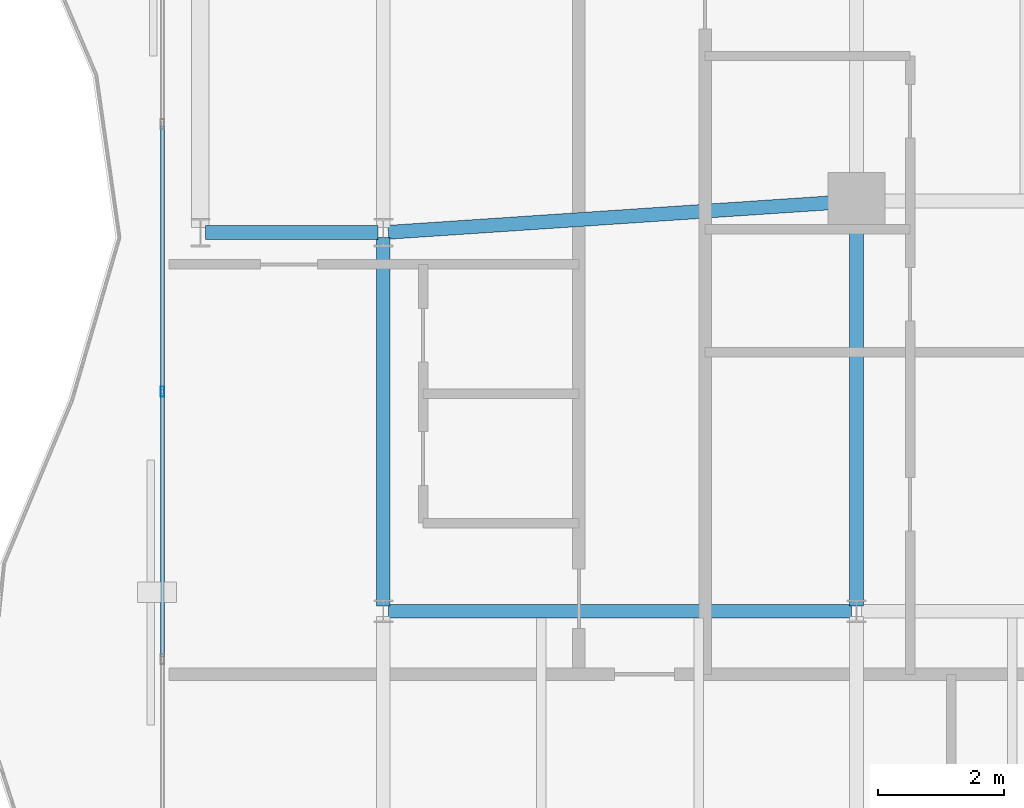
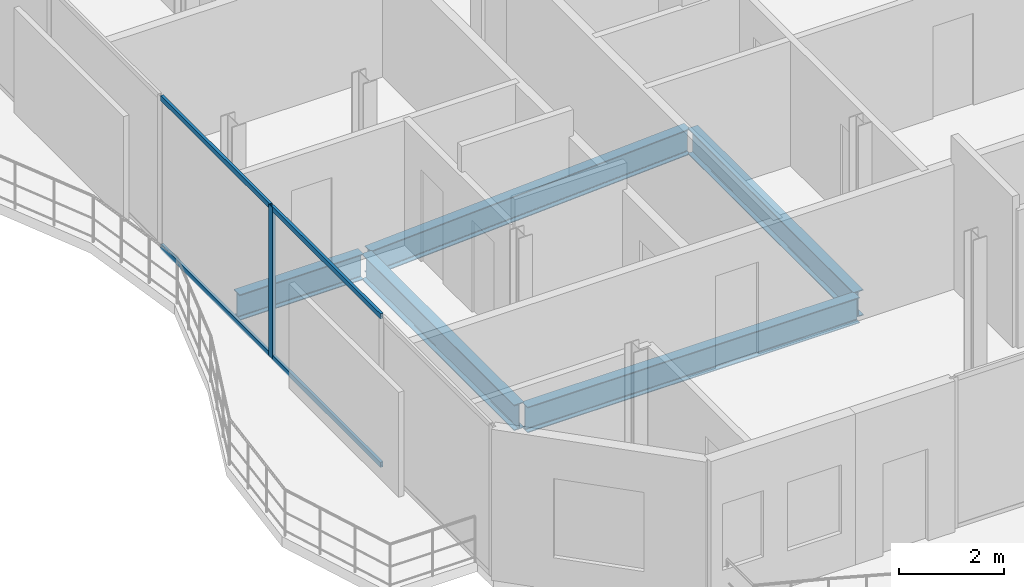
# One storey, part 6 of 22: 5 beams, 5 members, 1 element without a shape of its own.
"""IFC4 building model written with IfcOpenShell, lengths in metres."""

from ifc_helpers import new_model, si_unit, direction, frame, origin, origin_2d, place, context, subcontext, project, spatial, hollow_rectangle, i_section, extrude, material, layer, layer_set, material_profile, profile_set, type_object, element, aggregate, save


model = new_model("IFC4")

# Units and contexts
model_context = context("Model", 3, precision=1e-05, world=origin(), true_north=direction((0.0, 1.0)))
body_context = subcontext(model_context, "Body", "Model", "MODEL_VIEW")
ifc_project = project(units=[si_unit("LENGTHUNIT", "METRE"), si_unit("AREAUNIT", "SQUARE_METRE"), si_unit("VOLUMEUNIT", "CUBIC_METRE"), si_unit("PLANEANGLEUNIT", "RADIAN"), si_unit("MASSUNIT", "GRAM", prefix="KILO")], contexts=[model_context])

# Site, building, storey
site_placement = place(None, origin())
site = spatial("IfcSite", under=ifc_project, at=site_placement, CompositionType="ELEMENT")
building_placement = place(site_placement, origin())
building = spatial("IfcBuilding", under=site, at=building_placement, Name="Catumbela Crestline Tower", CompositionType="ELEMENT")
storey_placement = place(building_placement, frame((0.0, 0.0, 222.2)))
storey = spatial("IfcBuildingStorey", under=building, at=storey_placement, Name="L57", CompositionType="ELEMENT", Elevation=222.2)

# Beams
ifc_material_1 = material(Name="Structural steel S355J2", Category="steel")
ifc_material_profile_1 = material_profile(ifc_material_1, i_section(OverallWidth=0.22, OverallDepth=0.6, WebThickness=0.012, FlangeThickness=0.019, FilletRadius=0.024, at=origin_2d()), Name="IPE 600")
ifc_profile_set_1 = profile_set([ifc_material_profile_1], Name="Structural steel S355J2")
beam_type = type_object("IfcBeamType", Name="BG-IPE600", PredefinedType="BEAM", material=ifc_profile_set_1)
beam_1_placement = place(storey_placement, frame((5.68, 24.0, -0.56), z_axis=(1.0, 0.0, 0.0), x_axis=(0.0, 1.0, 0.0)))
element("IfcBeam", 1, at=beam_1_placement, inside=storey, type_object=beam_type, Name="L57 Beam BM-L57-S01", PredefinedType="BEAM", context=body_context, shape_type="SweptSolid", body=[
    extrude(i_section(OverallWidth=0.22, OverallDepth=0.6, WebThickness=0.012, FlangeThickness=0.019, FilletRadius=0.024, at=origin_2d()), origin(), (0.0, 0.0, 1.0), 2.74),
])
beam_2_placement = place(storey_placement, frame((8.5798, 24.0053, -0.56), z_axis=(0.997784796964, 0.066524423687, 0.0), x_axis=(-0.066524423687, 0.997784796964, 0.0)))
element("IfcBeam", 2, at=beam_2_placement, inside=storey, type_object=beam_type, Name="L57 Beam BM-L57-S02", PredefinedType="BEAM", context=body_context, shape_type="SweptSolid", body=[
    extrude(i_section(OverallWidth=0.22, OverallDepth=0.6, WebThickness=0.012, FlangeThickness=0.019, FilletRadius=0.024, at=origin_2d()), origin(), (0.0, 0.0, 1.0), 7.3567),
])
beam_3_placement = place(storey_placement, frame((8.58, 18.0, -0.56), z_axis=(1.0, 0.0, 0.0), x_axis=(0.0, 1.0, 0.0)))
element("IfcBeam", 3, at=beam_3_placement, inside=storey, type_object=beam_type, Name="L57 Beam BM-L57-WEW29", PredefinedType="BEAM", context=body_context, shape_type="SweptSolid", body=[
    extrude(i_section(OverallWidth=0.22, OverallDepth=0.6, WebThickness=0.012, FlangeThickness=0.019, FilletRadius=0.024, at=origin_2d()), origin(), (0.0, 0.0, 1.0), 7.34),
])
beam_4_placement = place(storey_placement, frame((8.5, 18.08, -0.56), z_axis=(0.0, 1.0, 0.0), x_axis=(-1.0, 0.0, 0.0)))
element("IfcBeam", 4, at=beam_4_placement, inside=storey, type_object=beam_type, Name="L57 Beam BM-L57-WNS32", PredefinedType="BEAM", context=body_context, shape_type="SweptSolid", body=[
    extrude(i_section(OverallWidth=0.22, OverallDepth=0.6, WebThickness=0.012, FlangeThickness=0.019, FilletRadius=0.024, at=origin_2d()), origin(), (0.0, 0.0, 1.0), 5.84),
])
beam_5_placement = place(storey_placement, frame((16.0, 18.08, -0.56), z_axis=(0.0, 1.0, 0.0), x_axis=(-1.0, 0.0, 0.0)))
element("IfcBeam", 5, at=beam_5_placement, inside=storey, type_object=beam_type, Name="L57 Beam BM-L57-WNS34", PredefinedType="BEAM", context=body_context, shape_type="SweptSolid", body=[
    extrude(i_section(OverallWidth=0.22, OverallDepth=0.6, WebThickness=0.012, FlangeThickness=0.019, FilletRadius=0.024, at=origin_2d()), origin(), (0.0, 0.0, 1.0), 6.34),
])

# Curtain wall, members
ifc_material_2 = material(Name="Aluminium alloy AW-6060-T66", Category="aluminium")
ifc_layer = layer(ifc_material_2, 0.18, Name="Aluminium alloy AW-6060-T66")
ifc_layer_set = layer_set([ifc_layer], Name="Aluminium alloy AW-6060-T66")
curtain_wall_type = type_object("IfcCurtainWallType", Name="CWU-Z4", PredefinedType="USERDEFINED", material=ifc_layer_set)
curtain_wall_placement = place(storey_placement, origin())
curtain_wall = element("IfcCurtainWall", 6, at=curtain_wall_placement, inside=storey, type_object=curtain_wall_type, Name="L57 Unitised Curtain Wall CW-L57-E9S2", ObjectType="UNITISED", PredefinedType="USERDEFINED")
ifc_material_profile_2 = material_profile(ifc_material_2, hollow_rectangle(XDim=0.06, YDim=0.16, WallThickness=0.004, at=origin_2d()), Name="ALU 160x60x4")
ifc_profile_set_2 = profile_set([ifc_material_profile_2], Name="Aluminium alloy AW-6060-T66")
member_type_1 = type_object("IfcMemberType", Name="MUL-160X60", PredefinedType="MULLION", material=ifc_profile_set_2)
member_1_placement = place(storey_placement, frame((5.0, 21.48, 0.0), z_axis=(0.0, 0.0, 1.0), x_axis=(1.0, 0.0, 0.0)))
member_1 = element("IfcMember", 7, at=member_1_placement, type_object=member_type_1, Name="CWU-Z4 mullion 4", PredefinedType="MULLION", context=body_context, shape_type="SweptSolid", body=[
    extrude(hollow_rectangle(XDim=0.06, YDim=0.16, WallThickness=0.004, at=origin_2d()), origin(), (0.0, 0.0, 1.0), 3.53),
])
ifc_material_profile_3 = material_profile(ifc_material_2, hollow_rectangle(XDim=0.06, YDim=0.12, WallThickness=0.0035, at=origin_2d()), Name="ALU 120x60x3.5")
ifc_profile_set_3 = profile_set([ifc_material_profile_3], Name="Aluminium alloy AW-6060-T66")
member_type_2 = type_object("IfcMemberType", Name="TRN-120X60", PredefinedType="USERDEFINED", material=ifc_profile_set_3)
member_2_placement = place(storey_placement, frame((5.0, 25.6875, 0.03), z_axis=(0.0, -1.0, 0.0), x_axis=(1.0, 0.0, 0.0)))
member_2 = element("IfcMember", 8, at=member_2_placement, type_object=member_type_2, Name="CWU-Z4 transom 3.1", ObjectType="TRANSOM", PredefinedType="USERDEFINED", context=body_context, shape_type="SweptSolid", body=[
    extrude(hollow_rectangle(XDim=0.06, YDim=0.12, WallThickness=0.0035, at=origin_2d()), origin(), (0.0, 0.0, 1.0), 4.175),
])
member_3_placement = place(storey_placement, frame((5.0, 25.6875, 3.5), z_axis=(0.0, -1.0, 0.0), x_axis=(1.0, 0.0, 0.0)))
member_3 = element("IfcMember", 9, at=member_3_placement, type_object=member_type_2, Name="CWU-Z4 transom 3.2", ObjectType="TRANSOM", PredefinedType="USERDEFINED", context=body_context, shape_type="SweptSolid", body=[
    extrude(hollow_rectangle(XDim=0.06, YDim=0.12, WallThickness=0.0035, at=origin_2d()), origin(), (0.0, 0.0, 1.0), 4.175),
])
member_4_placement = place(storey_placement, frame((5.0, 21.4475, 0.03), z_axis=(0.0, -1.0, 0.0), x_axis=(1.0, 0.0, 0.0)))
member_4 = element("IfcMember", 10, at=member_4_placement, type_object=member_type_2, Name="CWU-Z4 transom 4.1", ObjectType="TRANSOM", PredefinedType="USERDEFINED", context=body_context, shape_type="SweptSolid", body=[
    extrude(hollow_rectangle(XDim=0.06, YDim=0.12, WallThickness=0.0035, at=origin_2d()), origin(), (0.0, 0.0, 1.0), 4.175),
])
member_5_placement = place(storey_placement, frame((5.0, 21.4475, 3.5), z_axis=(0.0, -1.0, 0.0), x_axis=(1.0, 0.0, 0.0)))
member_5 = element("IfcMember", 11, at=member_5_placement, type_object=member_type_2, Name="CWU-Z4 transom 4.2", ObjectType="TRANSOM", PredefinedType="USERDEFINED", context=body_context, shape_type="SweptSolid", body=[
    extrude(hollow_rectangle(XDim=0.06, YDim=0.12, WallThickness=0.0035, at=origin_2d()), origin(), (0.0, 0.0, 1.0), 4.175),
])
aggregate(curtain_wall, [member_1, member_2, member_3, member_4, member_5])

save(model, "model.ifc")
